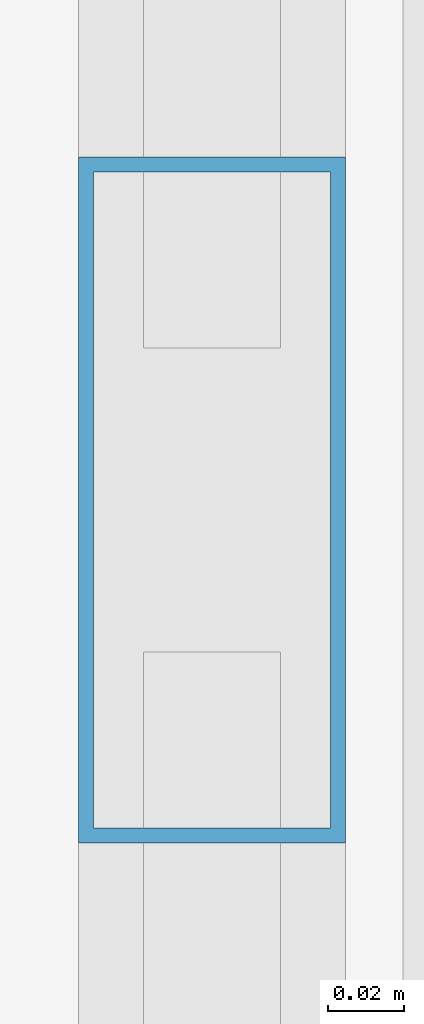
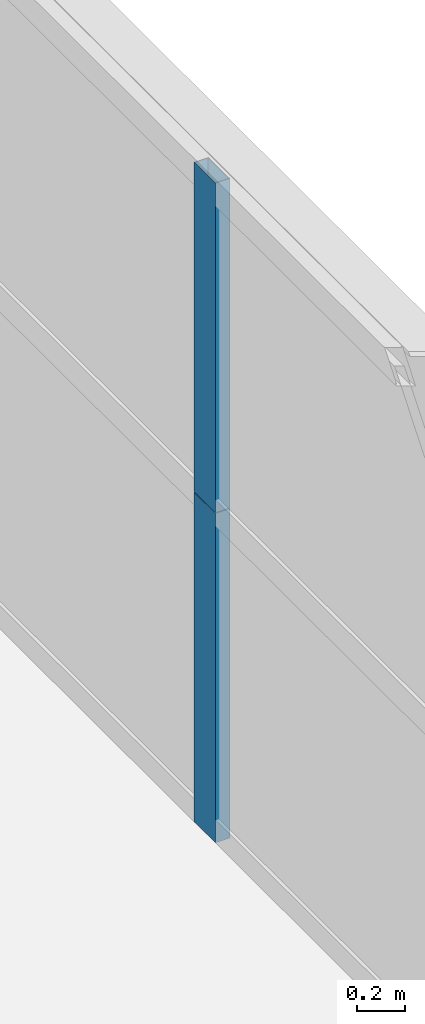
# One storey, part 18 of 39: 2 members, 1 element without a shape of its own.
"""IFC4 building model written with IfcOpenShell, lengths in metres."""

from ifc_helpers import new_model, si_unit, direction, frame, origin, origin_2d, place, context, subcontext, project, spatial, hollow_rectangle, extrude, source, transform, mapped, material, layer, layer_set, material_profile, profile_set, type_object, element, aggregate, save


model = new_model("IFC4")

# Units and contexts
model_context = context("Model", 3, precision=1e-05, world=origin(), true_north=direction((0.0, 1.0)))
body_context = subcontext(model_context, "Body", "Model", "MODEL_VIEW")
ifc_project = project(units=[si_unit("LENGTHUNIT", "METRE"), si_unit("AREAUNIT", "SQUARE_METRE"), si_unit("VOLUMEUNIT", "CUBIC_METRE"), si_unit("PLANEANGLEUNIT", "RADIAN"), si_unit("MASSUNIT", "GRAM", prefix="KILO"), si_unit("THERMODYNAMICTEMPERATUREUNIT", "KELVIN"), si_unit("POWERUNIT", "WATT")], contexts=[model_context])

# Site, building, storey
site_placement = place(None, origin())
site = spatial("IfcSite", under=ifc_project, at=site_placement, CompositionType="ELEMENT")
building_placement = place(site_placement, origin())
building = spatial("IfcBuilding", under=site, at=building_placement, Name="Yuzanri Waterfront Tower", CompositionType="ELEMENT")
storey_placement = place(building_placement, frame((0.0, 0.0, 141.60009765625)))
storey = spatial("IfcBuildingStorey", under=building, at=storey_placement, Name="L37", CompositionType="ELEMENT", Elevation=141.60009765625)

# Curtain wall, members
ifc_material_1 = material(Name="Anodized Architectural Bronze", Category="metal")
ifc_layer = layer(ifc_material_1, 0.159912109375)
ifc_layer_set = layer_set([ifc_layer], Name="Anodized Architectural Bronze")
curtain_wall_type = type_object("IfcCurtainWallType", Name="Anodized Bronze Hotel Upper-Tier Solar-Control Unitized Curtain Wall 7800", PredefinedType="NOTDEFINED", material=ifc_layer_set)
curtain_wall_placement = place(storey_placement, origin())
curtain_wall = element("IfcCurtainWall", 1, at=curtain_wall_placement, inside=storey, type_object=curtain_wall_type, Name="L37 Curtain Wall CW-L37-EL", PredefinedType="NOTDEFINED")
ifc_material_2 = material(Name="Anodized Architectural Bronze", Category="metal")
ifc_material_profile = material_profile(ifc_material_2, hollow_rectangle(XDim=0.070068359375, YDim=0.179931640625, WallThickness=0.00390625, at=origin_2d()), Name="CWM 70x180")
ifc_profile_set = profile_set([ifc_material_profile], Name="Anodized Architectural Bronze")
member_type = type_object("IfcMemberType", Name="Anodized Bronze Standard Curtain-Wall Mullion 70x180", PredefinedType="MULLION", material=ifc_profile_set)
shared_shape = source(origin(), body_context, "Body", "SweptSolid", [
    extrude(hollow_rectangle(XDim=0.070068359375, YDim=0.179931640625, WallThickness=0.00390625, at=origin_2d()), origin(), (0.0, 0.0, 1.0), 1.68798828125),
])
member_1_placement = place(storey_placement, frame((60.449951171875, 17.449951171875, 0.0), z_axis=(0.0, 0.0, 1.0), x_axis=(1.0, 0.0, 0.0)))
member_1 = element("IfcMember", 2, at=member_1_placement, type_object=member_type, Name="CW-L37-EL Lower Mullion 01", PredefinedType="MULLION", context=body_context, shape_type="MappedRepresentation", body=[
    mapped(shared_shape, transform((0.0, 0.0, 0.0), scale=1.0)),
])
member_2_placement = place(storey_placement, frame((60.449951171875, 17.449951171875, 1.69189453125), z_axis=(0.0, 0.0, 1.0), x_axis=(1.0, 0.0, 0.0)))
member_2 = element("IfcMember", 3, at=member_2_placement, type_object=member_type, Name="CW-L37-EL Upper Mullion 01", PredefinedType="MULLION", context=body_context, shape_type="MappedRepresentation", body=[
    mapped(shared_shape, transform((0.0, 0.0, 0.0), scale=1.0)),
])
aggregate(curtain_wall, [member_1, member_2])

save(model, "model.ifc")
